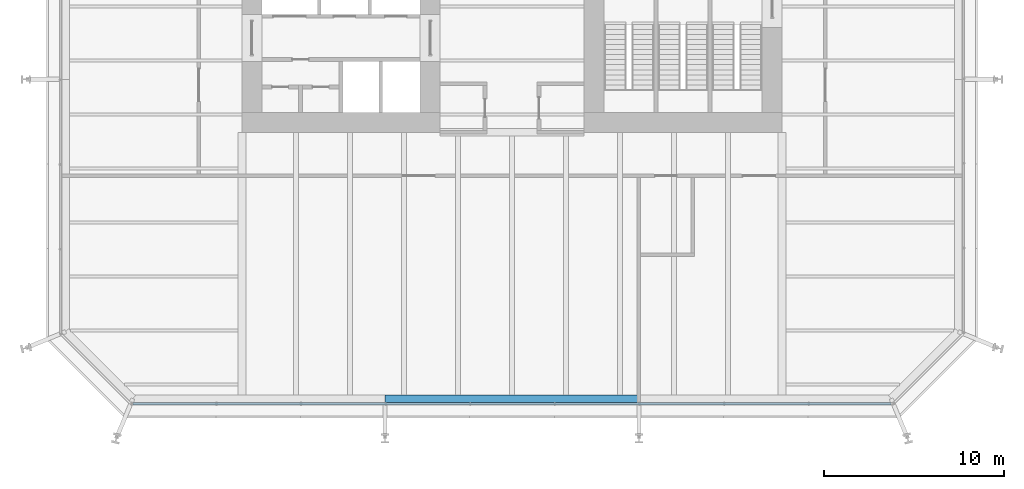
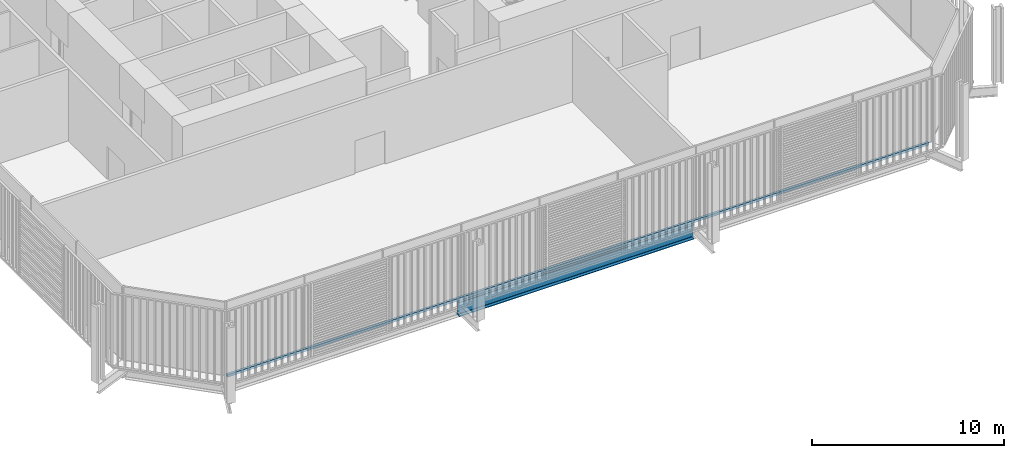
# One storey, part 3 of 22: 1 beam, 1 member, 1 element without a shape of its own.
"""IFC4 building model written with IfcOpenShell, lengths in metres."""

from ifc_helpers import new_model, si_unit, direction, frame, origin, origin_2d, place, context, subcontext, project, spatial, rectangle, i_section, extrude, material, layer, layer_set, material_profile, profile_set, type_object, element, aggregate, save


model = new_model("IFC4")

# Units and contexts
model_context = context("Model", 3, precision=1e-05, world=origin(), true_north=direction((0.0, 1.0)))
body_context = subcontext(model_context, "Body", "Model", "MODEL_VIEW")
ifc_project = project(units=[si_unit("LENGTHUNIT", "METRE"), si_unit("AREAUNIT", "SQUARE_METRE"), si_unit("VOLUMEUNIT", "CUBIC_METRE"), si_unit("PLANEANGLEUNIT", "RADIAN"), si_unit("MASSUNIT", "GRAM", prefix="KILO")], contexts=[model_context])

# Site, building, storey
site_placement = place(None, origin())
site = spatial("IfcSite", under=ifc_project, at=site_placement, CompositionType="ELEMENT")
building_placement = place(site_placement, origin())
building = spatial("IfcBuilding", under=site, at=building_placement, Name="Millrace Tower", CompositionType="ELEMENT")
storey_placement = place(building_placement, frame((0.0, 0.0, 49.699951171875)))
storey = spatial("IfcBuildingStorey", under=building, at=storey_placement, Name="L11", CompositionType="ELEMENT", Elevation=49.699951171875)

# Curtain wall, member
ifc_material_1 = material(Name="Aluminium and glass", Category="aluminium")
ifc_layer = layer(ifc_material_1, 0.14990234375)
ifc_layer_set = layer_set([ifc_layer], Name="Aluminium and glass")
curtain_wall_type = type_object("IfcCurtainWallType", Name="CW-2 data hall insulated curtain wall", PredefinedType="NOTDEFINED", material=ifc_layer_set)
curtain_wall_placement = place(storey_placement, origin())
curtain_wall = element("IfcCurtainWall", 1, at=curtain_wall_placement, inside=storey, type_object=curtain_wall_type, Name="Curtain wall A-F02 L11", PredefinedType="NOTDEFINED")
ifc_material_2 = material(Name="Aluminium", Category="aluminium")
ifc_material_profile_1 = material_profile(ifc_material_2, rectangle(XDim=0.14990234375, YDim=0.159912109375, at=origin_2d()))
ifc_profile_set_1 = profile_set([ifc_material_profile_1], Name="Aluminium")
member_type = type_object("IfcMemberType", Name="CW-2 data hall insulated curtain wall transom", PredefinedType="USERDEFINED", material=ifc_profile_set_1)
member_placement = place(storey_placement, frame((-21.050048828125, -25.074951171875, 0.080078125), z_axis=(1.0, 0.0, 0.0), x_axis=(0.0, 1.0, 0.0)))
member = element("IfcMember", 2, at=member_placement, type_object=member_type, Name="CW2 transom A-F02.1", ObjectType="TRANSOM", PredefinedType="USERDEFINED", context=body_context, shape_type="SweptSolid", body=[
    extrude(rectangle(XDim=0.14990234375, YDim=0.159912109375, at=origin_2d()), origin(), (0.0, 0.0, 1.0), 42.10009765625),
])
aggregate(curtain_wall, [member])

# Beam
ifc_material_3 = material(Name="Steel ASTM A992 Grade 50", Category="steel")
ifc_material_profile_2 = material_profile(ifc_material_3, i_section(OverallWidth=0.421630859375, OverallDepth=0.937255859375, WebThickness=0.021240234375, FlangeThickness=0.03662109375, FilletRadius=0.024169921875, at=origin_2d()))
ifc_profile_set_2 = profile_set([ifc_material_profile_2], Name="Steel ASTM A992 Grade 50")
beam_type = type_object("IfcBeamType", Name="Ring beam medium span W36x262", PredefinedType="SPANDREL", material=ifc_profile_set_2)
beam_placement = place(storey_placement, frame((7.050048828125, -24.7890625, -0.693603515625), z_axis=(-1.0, 0.0, 0.0), x_axis=(0.0, -1.0, 0.0)))
element("IfcBeam", 3, at=beam_placement, inside=storey, type_object=beam_type, Name="RNG-A-L11-S1-14", PredefinedType="SPANDREL", context=body_context, shape_type="SweptSolid", body=[
    extrude(i_section(OverallWidth=0.421630859375, OverallDepth=0.937255859375, WebThickness=0.021240234375, FlangeThickness=0.03662109375, FilletRadius=0.024169921875, at=origin_2d()), origin(), (0.0, 0.0, 1.0), 14.10009765625),
])

save(model, "model.ifc")
